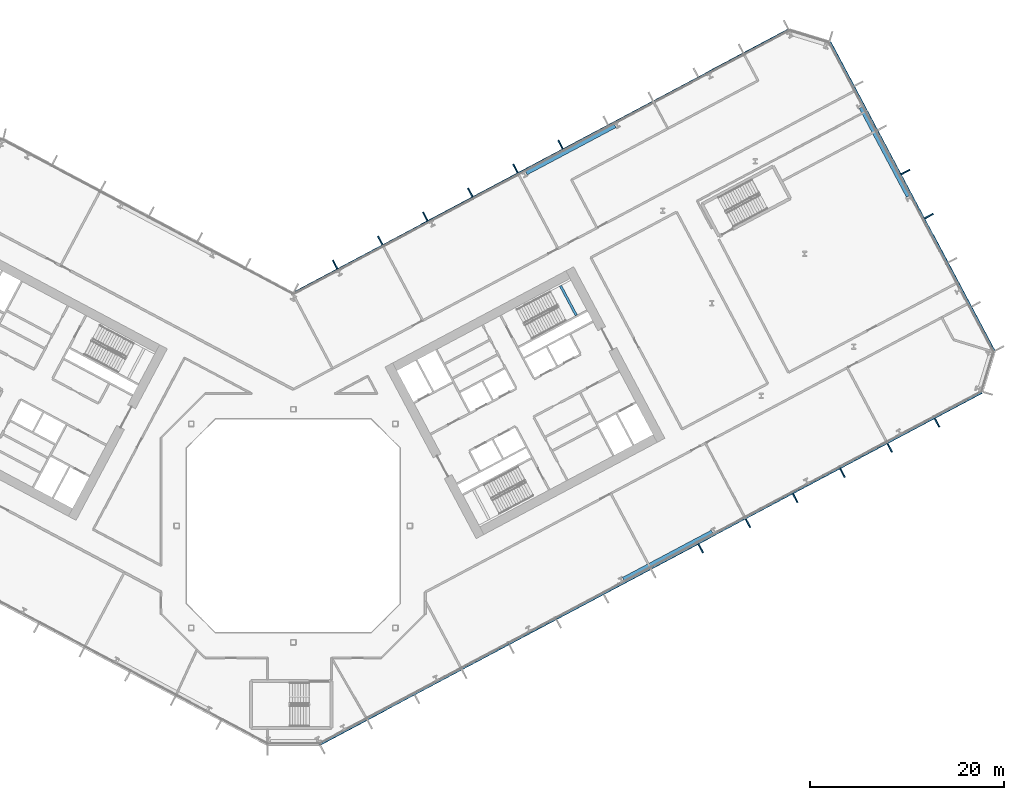
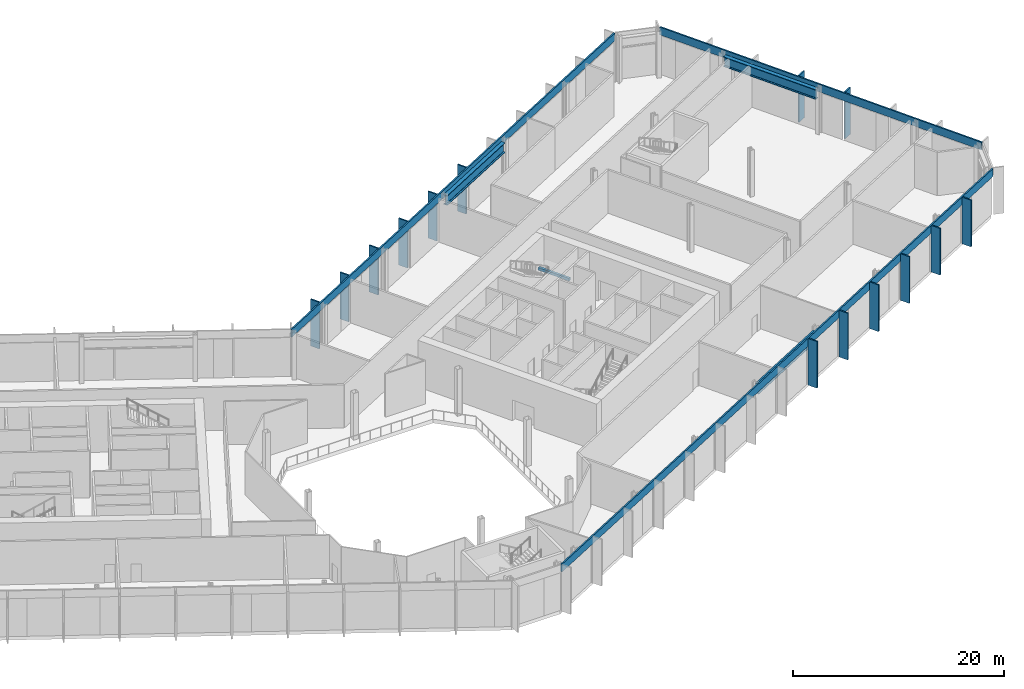
# One storey, part 7 of 32: 17 members, 4 beams, 3 elements without a shape of their own.
"""IFC4 building model written with IfcOpenShell, lengths in metres."""

from ifc_helpers import new_model, si_unit, direction, frame, origin, origin_2d, place, context, subcontext, project, spatial, rectangle, i_section, extrude, material, layer, layer_set, material_profile, profile_set, type_object, element, aggregate, save


model = new_model("IFC4")

# Units and contexts
model_context = context("Model", 3, precision=1e-05, world=origin(), true_north=direction((0.0, 1.0)))
body_context = subcontext(model_context, "Body", "Model", "MODEL_VIEW")
ifc_project = project(units=[si_unit("LENGTHUNIT", "METRE"), si_unit("AREAUNIT", "SQUARE_METRE"), si_unit("VOLUMEUNIT", "CUBIC_METRE"), si_unit("PLANEANGLEUNIT", "RADIAN"), si_unit("MASSUNIT", "GRAM", prefix="KILO")], contexts=[model_context])

# Site, building, storey
site_placement = place(None, origin())
site = spatial("IfcSite", under=ifc_project, at=site_placement, CompositionType="ELEMENT")
building_placement = place(site_placement, origin())
building = spatial("IfcBuilding", under=site, at=building_placement, Name="Cormorant Relay Tower", CompositionType="ELEMENT")
storey_placement = place(building_placement, frame((0.0, 0.0, 60.800048828125)))
storey = spatial("IfcBuildingStorey", under=building, at=storey_placement, Name="L11", CompositionType="ELEMENT", Elevation=60.800048828125)

# Curtain wall, members
ifc_material_1 = material(Name="Aluminium 6063-T6 anodised bronze", Category="aluminium")
ifc_layer = layer(ifc_material_1, 0.235107421875)
ifc_layer_set = layer_set([ifc_layer], Name="CW6 data hall curtain wall with mineral wool panels")
curtain_wall_type = type_object("IfcCurtainWallType", Name="CW6 data hall curtain wall with mineral wool panels", PredefinedType="NOTDEFINED", material=ifc_layer_set)
curtain_wall_1_placement = place(storey_placement, origin())
curtain_wall_1 = element("IfcCurtainWall", 1, at=curtain_wall_1_placement, inside=storey, type_object=curtain_wall_type, Name="CW6 curtain wall 2", PredefinedType="NOTDEFINED")
ifc_material_2 = material(Name="Aluminium 6063-T6 anodised bronze", Category="aluminium")
ifc_material_profile_1 = material_profile(ifc_material_2, rectangle(XDim=0.14990234375, YDim=1.0, at=origin_2d()), Name="AL 150x1000")
ifc_profile_set_1 = profile_set([ifc_material_profile_1], Name="Aluminium 6063-T6 anodised bronze")
member_type_1 = type_object("IfcMemberType", Name="CW6 bronze fin mullion 150 x 1000", PredefinedType="MULLION", material=ifc_profile_set_1)
member_1_placement = place(storey_placement, frame((41.92724609375, -2.3232421875, 0.0), z_axis=(0.0, 0.0, 1.0), x_axis=(0.882947592859, 0.469471562786, 0.0)))
member_1 = element("IfcMember", 2, at=member_1_placement, type_object=member_type_1, Name="CW6 fin 2.9", PredefinedType="MULLION", context=body_context, shape_type="SweptSolid", body=[
    extrude(rectangle(XDim=0.14990234375, YDim=1.0, at=origin_2d()), origin(), (0.0, 0.0, 1.0), 5.39990234375),
])
member_2_placement = place(storey_placement, frame((46.7939453125, 0.264404296875, 0.0), z_axis=(0.0, 0.0, 1.0), x_axis=(0.882947592859, 0.469471562786, 0.0)))
member_2 = element("IfcMember", 3, at=member_2_placement, type_object=member_type_1, Name="CW6 fin 2.10", PredefinedType="MULLION", context=body_context, shape_type="SweptSolid", body=[
    extrude(rectangle(XDim=0.14990234375, YDim=1.0, at=origin_2d()), origin(), (0.0, 0.0, 1.0), 5.39990234375),
])
member_3_placement = place(storey_placement, frame((51.66064453125, 2.85205078125, 0.0), z_axis=(0.0, 0.0, 1.0), x_axis=(0.882947592859, 0.469471562786, 0.0)))
member_3 = element("IfcMember", 4, at=member_3_placement, type_object=member_type_1, Name="CW6 fin 2.11", PredefinedType="MULLION", context=body_context, shape_type="SweptSolid", body=[
    extrude(rectangle(XDim=0.14990234375, YDim=1.0, at=origin_2d()), origin(), (0.0, 0.0, 1.0), 5.39990234375),
])
member_4_placement = place(storey_placement, frame((56.52734375, 5.439697265625, 0.0), z_axis=(0.0, 0.0, 1.0), x_axis=(0.882947592859, 0.469471562786, 0.0)))
member_4 = element("IfcMember", 5, at=member_4_placement, type_object=member_type_1, Name="CW6 fin 2.12", PredefinedType="MULLION", context=body_context, shape_type="SweptSolid", body=[
    extrude(rectangle(XDim=0.14990234375, YDim=1.0, at=origin_2d()), origin(), (0.0, 0.0, 1.0), 5.39990234375),
])
member_5_placement = place(storey_placement, frame((61.39404296875, 8.02734375, 0.0), z_axis=(0.0, 0.0, 1.0), x_axis=(0.882947592859, 0.469471562786, 0.0)))
member_5 = element("IfcMember", 6, at=member_5_placement, type_object=member_type_1, Name="CW6 fin 2.13", PredefinedType="MULLION", context=body_context, shape_type="SweptSolid", body=[
    extrude(rectangle(XDim=0.14990234375, YDim=1.0, at=origin_2d()), origin(), (0.0, 0.0, 1.0), 5.39990234375),
])
member_6_placement = place(storey_placement, frame((66.2607421875, 10.614990234375, 0.0), z_axis=(0.0, 0.0, 1.0), x_axis=(0.882947592859, 0.469471562786, 0.0)))
member_6 = element("IfcMember", 7, at=member_6_placement, type_object=member_type_1, Name="CW6 fin 2.14", PredefinedType="MULLION", context=body_context, shape_type="SweptSolid", body=[
    extrude(rectangle(XDim=0.14990234375, YDim=1.0, at=origin_2d()), origin(), (0.0, 0.0, 1.0), 5.39990234375),
])

curtain_wall_2_placement = place(storey_placement, origin())
curtain_wall_2 = element("IfcCurtainWall", 8, at=curtain_wall_2_placement, inside=storey, type_object=curtain_wall_type, Name="CW6 curtain wall 4", PredefinedType="NOTDEFINED")
member_7_placement = place(storey_placement, frame((65.428466796875, 31.876708984375, 0.0), z_axis=(0.0, 0.0, 1.0), x_axis=(-0.469471562786, 0.882947592859, 0.0)))
member_7 = element("IfcMember", 9, at=member_7_placement, type_object=member_type_1, Name="CW6 fin 4.4", PredefinedType="MULLION", context=body_context, shape_type="SweptSolid", body=[
    extrude(rectangle(XDim=0.14990234375, YDim=1.0, at=origin_2d()), origin(), (0.0, 0.0, 1.0), 5.39990234375),
])
member_8_placement = place(storey_placement, frame((63.013916015625, 36.41748046875, 0.0), z_axis=(0.0, 0.0, 1.0), x_axis=(-0.469471562786, 0.882947592859, 0.0)))
member_8 = element("IfcMember", 10, at=member_8_placement, type_object=member_type_1, Name="CW6 fin 4.5", PredefinedType="MULLION", context=body_context, shape_type="SweptSolid", body=[
    extrude(rectangle(XDim=0.14990234375, YDim=1.0, at=origin_2d()), origin(), (0.0, 0.0, 1.0), 5.39990234375),
])

curtain_wall_3_placement = place(storey_placement, origin())
curtain_wall_3 = element("IfcCurtainWall", 11, at=curtain_wall_3_placement, inside=storey, type_object=curtain_wall_type, Name="CW6 curtain wall 6", PredefinedType="NOTDEFINED")
member_9_placement = place(storey_placement, frame((27.50830078125, 39.242919921875, 0.0), z_axis=(0.0, 0.0, 1.0), x_axis=(-0.882947592859, -0.469471562786, 0.0)))
member_9 = element("IfcMember", 12, at=member_9_placement, type_object=member_type_1, Name="CW6 fin 6.6", PredefinedType="MULLION", context=body_context, shape_type="SweptSolid", body=[
    extrude(rectangle(XDim=0.14990234375, YDim=1.0, at=origin_2d()), origin(), (0.0, 0.0, 1.0), 5.39990234375),
])
member_10_placement = place(storey_placement, frame((22.8662109375, 36.7744140625, 0.0), z_axis=(0.0, 0.0, 1.0), x_axis=(-0.882947592859, -0.469471562786, 0.0)))
member_10 = element("IfcMember", 13, at=member_10_placement, type_object=member_type_1, Name="CW6 fin 6.7", PredefinedType="MULLION", context=body_context, shape_type="SweptSolid", body=[
    extrude(rectangle(XDim=0.14990234375, YDim=1.0, at=origin_2d()), origin(), (0.0, 0.0, 1.0), 5.39990234375),
])
member_11_placement = place(storey_placement, frame((18.223876953125, 34.30615234375, 0.0), z_axis=(0.0, 0.0, 1.0), x_axis=(-0.882947592859, -0.469471562786, 0.0)))
member_11 = element("IfcMember", 14, at=member_11_placement, type_object=member_type_1, Name="CW6 fin 6.8", PredefinedType="MULLION", context=body_context, shape_type="SweptSolid", body=[
    extrude(rectangle(XDim=0.14990234375, YDim=1.0, at=origin_2d()), origin(), (0.0, 0.0, 1.0), 5.39990234375),
])
member_12_placement = place(storey_placement, frame((13.58154296875, 31.837890625, 0.0), z_axis=(0.0, 0.0, 1.0), x_axis=(-0.882947592859, -0.469471562786, 0.0)))
member_12 = element("IfcMember", 15, at=member_12_placement, type_object=member_type_1, Name="CW6 fin 6.9", PredefinedType="MULLION", context=body_context, shape_type="SweptSolid", body=[
    extrude(rectangle(XDim=0.14990234375, YDim=1.0, at=origin_2d()), origin(), (0.0, 0.0, 1.0), 5.39990234375),
])
member_13_placement = place(storey_placement, frame((8.939453125, 29.36962890625, 0.0), z_axis=(0.0, 0.0, 1.0), x_axis=(-0.882947592859, -0.469471562786, 0.0)))
member_13 = element("IfcMember", 16, at=member_13_placement, type_object=member_type_1, Name="CW6 fin 6.10", PredefinedType="MULLION", context=body_context, shape_type="SweptSolid", body=[
    extrude(rectangle(XDim=0.14990234375, YDim=1.0, at=origin_2d()), origin(), (0.0, 0.0, 1.0), 5.39990234375),
])
member_14_placement = place(storey_placement, frame((4.297119140625, 26.9013671875, 0.0), z_axis=(0.0, 0.0, 1.0), x_axis=(-0.882947592859, -0.469471562786, 0.0)))
member_14 = element("IfcMember", 17, at=member_14_placement, type_object=member_type_1, Name="CW6 fin 6.11", PredefinedType="MULLION", context=body_context, shape_type="SweptSolid", body=[
    extrude(rectangle(XDim=0.14990234375, YDim=1.0, at=origin_2d()), origin(), (0.0, 0.0, 1.0), 5.39990234375),
])

# Member
ifc_material_3 = material(Name="Aluminium 6063-T6 anodised bronze", Category="aluminium")
ifc_material_profile_2 = material_profile(ifc_material_3, rectangle(XDim=0.159912109375, YDim=0.89990234375, at=origin_2d()), Name="AL 160x900")
ifc_profile_set_2 = profile_set([ifc_material_profile_2], Name="Aluminium 6063-T6 anodised bronze")
member_type_2 = type_object("IfcMemberType", Name="CW6 bronze transom 160 x 900", PredefinedType="USERDEFINED", material=ifc_profile_set_2)
member_15_placement = place(storey_placement, frame((2.7216796875, -22.512451171875, 4.949951171875), z_axis=(0.882946645884, 0.469473343783, 0.0), x_axis=(-0.469473343783, 0.882946645884, 0.0)))
member_15 = element("IfcMember", 18, at=member_15_placement, type_object=member_type_2, Name="CW6 transom 2", ObjectType="TRANSOM", PredefinedType="USERDEFINED", context=body_context, shape_type="SweptSolid", body=[
    extrude(rectangle(XDim=0.159912109375, YDim=0.89990234375, at=origin_2d()), origin(), (0.0, 0.0, 1.0), 77.165771484375),
])

aggregate(curtain_wall_1, [member_1, member_2, member_3, member_4, member_5, member_6, member_15])

member_16_placement = place(storey_placement, frame((72.15966796875, 17.981689453125, 4.949951171875), z_axis=(-0.469474517326, 0.882946021896, 0.0), x_axis=(-0.882946021896, -0.469474517326, 0.0)))
member_16 = element("IfcMember", 19, at=member_16_placement, type_object=member_type_2, Name="CW6 transom 4", ObjectType="TRANSOM", PredefinedType="USERDEFINED", context=body_context, shape_type="SweptSolid", body=[
    extrude(rectangle(XDim=0.159912109375, YDim=0.89990234375, at=origin_2d()), origin(), (0.0, 0.0, 1.0), 36.0),
])

aggregate(curtain_wall_2, [member_7, member_8, member_16])

member_17_placement = place(storey_placement, frame((50.99169921875, 51.072265625, 4.949951171875), z_axis=(-0.882948196078, -0.469470428295, 0.0), x_axis=(0.469470428295, -0.882948196078, 0.0)))
member_17 = element("IfcMember", 20, at=member_17_placement, type_object=member_type_2, Name="CW6 transom 6", ObjectType="TRANSOM", PredefinedType="USERDEFINED", context=body_context, shape_type="SweptSolid", body=[
    extrude(rectangle(XDim=0.159912109375, YDim=0.89990234375, at=origin_2d()), origin(), (0.0, 0.0, 1.0), 57.833984375),
])

aggregate(curtain_wall_3, [member_9, member_10, member_11, member_12, member_13, member_14, member_17])

# Beams
ifc_material_4 = material(Name="Steel ASTM A992 (Fy 345 MPa)", Category="steel")
ifc_material_profile_3 = material_profile(ifc_material_4, i_section(OverallWidth=0.408935546875, OverallDepth=1.137939453125, WebThickness=0.031005859375, FlangeThickness=0.05517578125, FilletRadius=0.02001953125, at=origin_2d()), Name="W1100x607")
ifc_profile_set_3 = profile_set([ifc_material_profile_3], Name="Steel ASTM A992 (Fy 345 MPa)")
beam_type_1 = type_object("IfcBeamType", Name="Spandrel W1100x607", PredefinedType="SPANDREL", material=ifc_profile_set_3)
for number, where, z_axis, x_axis, name in (
    (21, (33.9716796875, -5.4892578125, 4.430908203125), (0.882947604656, 0.469471540599, 0.0), (-0.469471540599, 0.882947604656, 0.0), "Spandrel beam L11-002"),
    (22, (63.289306640625, 33.898681640625, 4.430908203125), (-0.469471540599, 0.882947604656, 0.0), (-0.882947604656, -0.469471540599, 0.0), "Spandrel beam L11-004"),
):
    element("IfcBeam", number, at=place(storey_placement, frame(where, z_axis=z_axis, x_axis=x_axis)), inside=storey, type_object=beam_type_1, Name=name, PredefinedType="SPANDREL", context=body_context, shape_type="SweptSolid", body=[
        extrude(i_section(OverallWidth=0.408935546875, OverallDepth=1.137939453125, WebThickness=0.031005859375, FlangeThickness=0.05517578125, FilletRadius=0.02001953125, at=origin_2d()), origin(), (0.0, 0.0, 1.0), 10.36376953125),
    ])
beam_1_placement = place(storey_placement, frame((33.132080078125, 41.169189453125, 4.430908203125), z_axis=(-0.882942412403, -0.469481305677, 0.0), x_axis=(0.469481305677, -0.882942412403, 0.0)))
element("IfcBeam", 23, at=beam_1_placement, inside=storey, type_object=beam_type_1, Name="Spandrel beam L11-006", PredefinedType="SPANDREL", context=body_context, shape_type="SweptSolid", body=[
    extrude(i_section(OverallWidth=0.408935546875, OverallDepth=1.137939453125, WebThickness=0.031005859375, FlangeThickness=0.05517578125, FilletRadius=0.02001953125, at=origin_2d()), origin(), (0.0, 0.0, 1.0), 10.363525390625),
])
ifc_material_5 = material(Name="Concrete 50 MPa", Category="concrete")
ifc_material_profile_4 = material_profile(ifc_material_5, rectangle(XDim=0.25, YDim=0.300048828125, at=origin_2d()), Name="RC 250x300")
ifc_profile_set_4 = profile_set([ifc_material_profile_4], Name="Concrete 50 MPa")
beam_type_2 = type_object("IfcBeamType", Name="Stair landing ledge beam 250x300", PredefinedType="BEAM", material=ifc_profile_set_4)
beam_2_placement = place(storey_placement, frame((29.1259765625, 21.6591796875, 2.349853515625), z_axis=(-0.469493252696, 0.882936059788, 0.0), x_axis=(-0.882936059788, -0.469493252696, 0.0)))
element("IfcBeam", 24, at=beam_2_placement, inside=storey, type_object=beam_type_2, Name="B2 landing ledge beam", PredefinedType="BEAM", context=body_context, shape_type="SweptSolid", body=[
    extrude(rectangle(XDim=0.25, YDim=0.300048828125, at=origin_2d()), origin(), (0.0, 0.0, 1.0), 3.44970703125),
])

save(model, "model.ifc")
